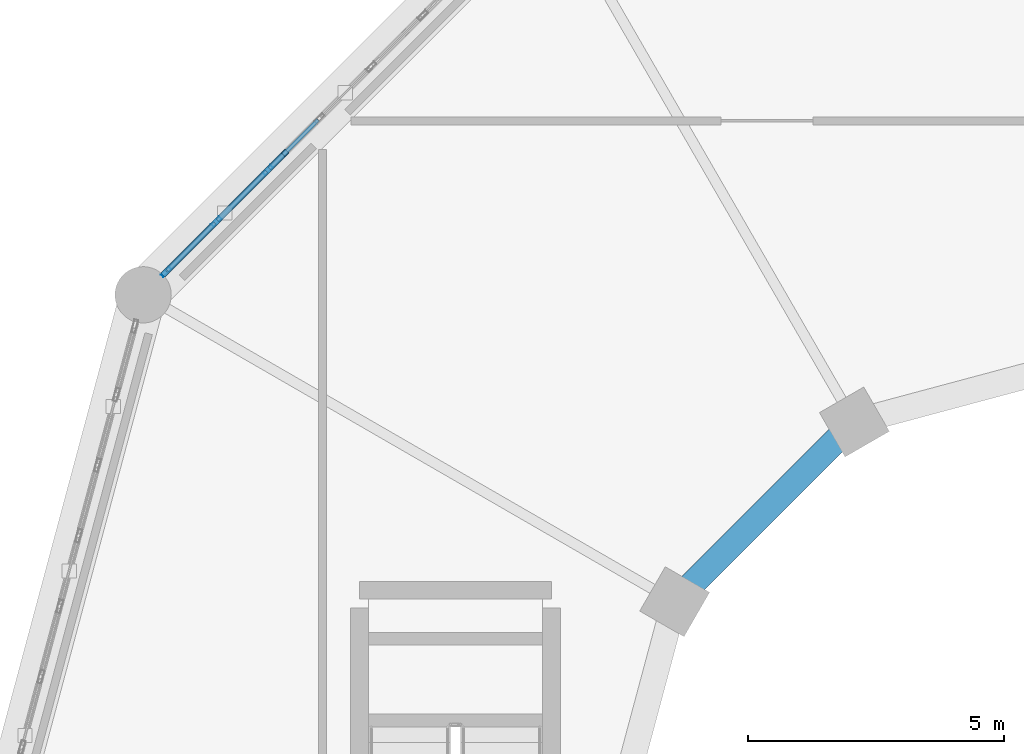
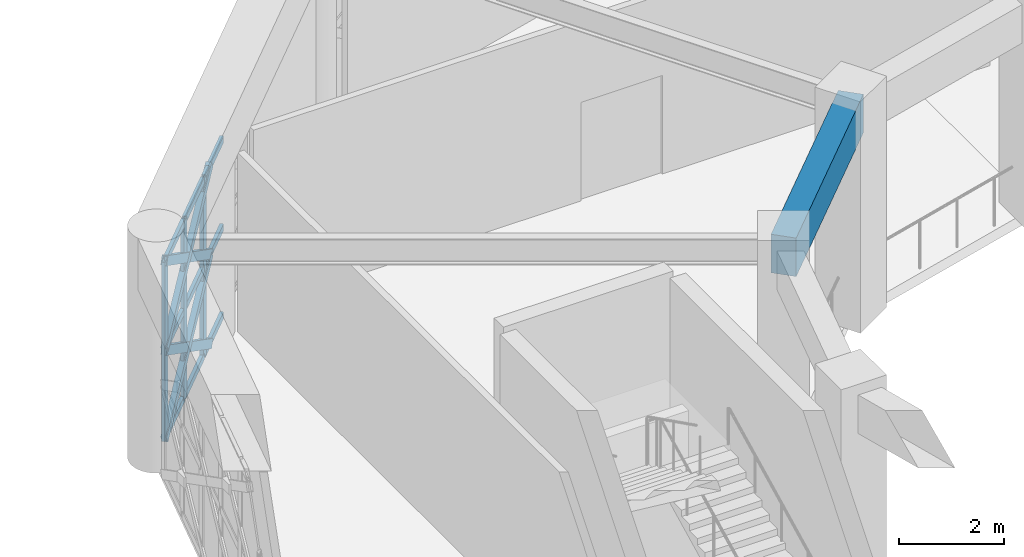
# One storey, part 26 of 72: 18 members, 1 beam, 1 element without a shape of its own.
"""IFC4 building model written with IfcOpenShell, lengths in metres."""

import ifcopenshell
import ifcopenshell.guid

model = None  # the IFC model being written
_history = None  # IfcOwnerHistory: only IFC2X3 demands one
_inside = {}  # id of a spatial element -> (the spatial element, [elements in it])
_under = {}  # id of a project, library or spatial element -> (it, [spatial elements below it])
_declared = {}  # id of a project -> (the project, [libraries it declares])
_typed = {}  # id of a type object -> (the type object, [elements of that type])
_made_of = {}  # id of a material, layer set ... -> (it, [elements and type objects made of it])


def new_model(schema):
    """Start an empty IFC model of exactly this schema.

    Asked for "IFC4X3", IfcOpenShell would pick the latest addendum, in which some entities
    have other attributes; the version numbers below select the first issue.
    IFC2X3 requires an IfcOwnerHistory on every rooted entity: one is made here for all.
    """
    global model, _history
    if schema == "IFC4X3":
        model = ifcopenshell.file(schema_version=(4, 3, 0, 0))
    else:
        model = ifcopenshell.file(schema=schema)
    _inside.clear()
    _under.clear()
    _declared.clear()
    _typed.clear()
    _made_of.clear()
    _history = None
    if model.schema == "IFC2X3":
        org = make("IfcOrganization", Name="unknown")
        user = make(
            "IfcPersonAndOrganization",
            ThePerson=make("IfcPerson", FamilyName="unknown"),
            TheOrganization=org,
        )
        app = make(
            "IfcApplication",
            ApplicationDeveloper=org,
            Version="unknown",
            ApplicationFullName="unknown",
            ApplicationIdentifier="unknown",
        )
        _history = make(
            "IfcOwnerHistory",
            OwningUser=user,
            OwningApplication=app,
            ChangeAction="ADDED",
            CreationDate=0,
        )
    return model


def make(cls, **values):
    """One entity of the class cls with the attributes given. An attribute that is None is left unset."""
    return model.create_entity(
        cls, **{name: value for name, value in values.items() if value is not None}
    )


def rooted(cls, **values):
    """An entity with a GlobalId (a new one), such as an element, a storey or a relation."""
    return make(cls, GlobalId=ifcopenshell.guid.new(), OwnerHistory=_history, **values)


def si_unit(unit_type, name, prefix=None):
    """IfcSIUnit, for example si_unit("LENGTHUNIT", "METRE", prefix="MILLI")."""
    return make("IfcSIUnit", UnitType=unit_type, Prefix=prefix, Name=name)


def assignment(units):
    """IfcUnitAssignment: the units of a project."""
    return None if units is None else make("IfcUnitAssignment", Units=units)


def point(xyz):
    """IfcCartesianPoint."""
    return None if xyz is None else make("IfcCartesianPoint", Coordinates=xyz)


def direction(xyz):
    """IfcDirection."""
    return None if xyz is None else make("IfcDirection", DirectionRatios=xyz)


def frame(location, z_axis=None, x_axis=None):
    """IfcAxis2Placement3D, a coordinate frame: its origin and axes. An axis left out is left unset."""
    return make(
        "IfcAxis2Placement3D",
        Location=point(location),
        Axis=direction(z_axis),
        RefDirection=direction(x_axis),
    )


def frame_2d(location, x_axis=None):
    """IfcAxis2Placement2D, a coordinate frame in the plane: its origin and x axis."""
    return make(
        "IfcAxis2Placement2D", Location=point(location), RefDirection=direction(x_axis)
    )


def origin():
    """The frame at (0, 0, 0) with its axes left unset."""
    return frame((0.0, 0.0, 0.0))


def origin_2d():
    """The frame at (0, 0) in the plane with its x axis left unset."""
    return frame_2d((0.0, 0.0))


def place(relative_to, where):
    """IfcLocalPlacement: puts the frame where relative to a parent placement (None: the world)."""
    return make(
        "IfcLocalPlacement", PlacementRelTo=relative_to, RelativePlacement=where
    )


def context(
    kind, dimensions, precision=None, world=None, true_north=None, identifier=None
):
    """IfcGeometricRepresentationContext, for example the 3D "Model" context."""
    return make(
        "IfcGeometricRepresentationContext",
        ContextIdentifier=identifier,
        ContextType=kind,
        CoordinateSpaceDimension=dimensions,
        Precision=precision,
        WorldCoordinateSystem=world,
        TrueNorth=true_north,
    )


def subcontext(parent, identifier, kind, view, scale=None):
    """IfcGeometricRepresentationSubContext, for example "Body" below "Model"."""
    return make(
        "IfcGeometricRepresentationSubContext",
        ContextIdentifier=identifier,
        ContextType=kind,
        ParentContext=parent,
        TargetScale=scale,
        TargetView=view,
    )


def project(units=None, contexts=None):
    """IfcProject with its units and contexts."""
    return rooted(
        "IfcProject",
        Name="project",
        RepresentationContexts=contexts,
        UnitsInContext=assignment(units),
    )


def spatial(cls, under=None, at=None, **own):
    """A site, building, storey or space (cls), placed at a placement, below another one or the project."""
    s = rooted(cls, ObjectPlacement=at, **own)
    if under is not None:
        _under.setdefault(under.id(), (under, []))[1].append(s)
    return s


def profile(cls, at=None, kind="AREA", **sizes):
    """A parametric profile (cls). Its sizes go by their IFC names, for example OverallWidth=200.0."""
    return make(cls, ProfileType=kind, Position=at, **sizes)


def rectangle(**sizes):
    """IfcRectangleProfileDef."""
    return profile("IfcRectangleProfileDef", **sizes)


def hollow_rectangle(**sizes):
    """IfcRectangleHollowProfileDef."""
    return profile("IfcRectangleHollowProfileDef", **sizes)


def extrude(swept, where, along, depth):
    """IfcExtrudedAreaSolid: the profile swept, set in the frame where, extruded along a direction by depth."""
    return make(
        "IfcExtrudedAreaSolid",
        SweptArea=swept,
        Position=where,
        ExtrudedDirection=direction(along),
        Depth=depth,
    )


def shape(context_of_items, identifier, shape_type, items):
    """IfcShapeRepresentation: the items that make up one representation, for example the "Body"."""
    return make(
        "IfcShapeRepresentation",
        ContextOfItems=context_of_items,
        RepresentationIdentifier=identifier,
        RepresentationType=shape_type,
        Items=items,
    )


def material(Name=None, Category=None):
    """IfcMaterial."""
    return make("IfcMaterial", Name=Name, Category=Category)


def material_profile(
    of_material, cross_section, Name=None, Category=None, Priority=None
):
    """IfcMaterialProfile: a cross section and its material."""
    return make(
        "IfcMaterialProfile",
        Name=Name,
        Material=of_material,
        Profile=cross_section,
        Priority=Priority,
        Category=Category,
    )


def profile_set(profiles, Name=None, composite=None):
    """IfcMaterialProfileSet."""
    return make(
        "IfcMaterialProfileSet",
        Name=Name,
        MaterialProfiles=profiles,
        CompositeProfile=composite,
    )


def made_of(thing, what):
    """Note that an element or type object is made of a material, layer set ...; save() writes the relation."""
    if what is not None:
        _made_of.setdefault(what.id(), (what, []))[1].append(thing)
    return thing


def type_object(cls, material=None, **own):
    """A type object (cls), such as IfcWallType, which elements share."""
    return made_of(rooted(cls, **own), material)


def element(
    cls,
    number,
    at=None,
    inside=None,
    cuts=None,
    type_object=None,
    material=None,
    context=None,
    identifier="Body",
    shape_type=None,
    held_by="IfcProductDefinitionShape",
    body=None,
    shapes=None,
    **own,
):
    """One element of the class cls, such as IfcWall. Its Tag is "e" and its number.

    at: its placement. inside: the storey or other place that contains it. cuts: it is an
    opening in that element (IfcRelVoidsElement). A single representation is given by context,
    identifier, shape_type and body (its items); several are given by shapes. held_by: the class
    of the entity that holds the representations. save() writes the other relations.
    """
    e = rooted(cls, Tag="e%d" % number, ObjectPlacement=at, **own)
    if body is not None:
        shapes = [shape(context, identifier, shape_type, body)]
    if shapes is not None:
        e.Representation = make(held_by, Representations=shapes)
    if inside is not None:
        _inside.setdefault(inside.id(), (inside, []))[1].append(e)
    if cuts is not None:
        rooted(
            "IfcRelVoidsElement", RelatingBuildingElement=cuts, RelatedOpeningElement=e
        )
    if type_object is not None:
        _typed.setdefault(type_object.id(), (type_object, []))[1].append(e)
    return made_of(e, material)


def aggregate(whole, parts):
    """IfcRelAggregates: a whole, such as a stair, and the parts it consists of."""
    return rooted("IfcRelAggregates", RelatingObject=whole, RelatedObjects=parts)


def save(model, path):
    """Write the relations noted so far, then the file.

    IfcRelAggregates (storeys below a building ...), IfcRelContainedInSpatialStructure (elements
    in a storey), IfcRelDefinesByType, IfcRelAssociatesMaterial and IfcRelDeclares: one each for
    every whole, place, type object, material and project.
    """
    for whole, parts in _under.values():
        aggregate(whole, parts)
    for where, things in _inside.values():
        rooted(
            "IfcRelContainedInSpatialStructure",
            RelatedElements=things,
            RelatingStructure=where,
        )
    for kind, things in _typed.values():
        rooted("IfcRelDefinesByType", RelatedObjects=things, RelatingType=kind)
    for what, things in _made_of.values():
        rooted("IfcRelAssociatesMaterial", RelatedObjects=things, RelatingMaterial=what)
    for by, libraries in _declared.values():
        rooted("IfcRelDeclares", RelatingContext=by, RelatedDefinitions=libraries)
    model.write(path)


model = new_model("IFC4")

# Units and contexts
model_context = context("Model", 3, precision=1e-05, world=origin(), true_north=direction((0.0, 1.0)))
body_context = subcontext(model_context, "Body", "Model", "MODEL_VIEW")
ifc_project = project(units=[si_unit("LENGTHUNIT", "METRE"), si_unit("AREAUNIT", "SQUARE_METRE"), si_unit("VOLUMEUNIT", "CUBIC_METRE"), si_unit("PLANEANGLEUNIT", "RADIAN"), si_unit("MASSUNIT", "GRAM", prefix="KILO")], contexts=[model_context])

# Site, building, storey
site_placement = place(None, origin())
site = spatial("IfcSite", under=ifc_project, at=site_placement, CompositionType="ELEMENT")
building_placement = place(site_placement, origin())
building = spatial("IfcBuilding", under=site, at=building_placement, Name="Haizhuo Lancet Aquarium", CompositionType="ELEMENT")
storey_placement = place(building_placement, frame((0.0, 0.0, 21.60009765625)))
storey = spatial("IfcBuildingStorey", under=building, at=storey_placement, Name="L04", CompositionType="ELEMENT", Elevation=21.60009765625)

# Beam
ifc_material_1 = material(Name="Concrete C40/50", Category="concrete")
ifc_material_profile_1 = material_profile(ifc_material_1, rectangle(XDim=0.5, YDim=0.89990234375, at=origin_2d()), Name="RC-BM 500x900")
ifc_profile_set_1 = profile_set([ifc_material_profile_1], Name="Concrete C40/50")
beam_type = type_object("IfcBeamType", Name="BM-RC-500x900", PredefinedType="BEAM", material=ifc_profile_set_1)
beam_placement = place(storey_placement, frame((-4.800048828125, 8.31396484375, 4.699951171875), z_axis=(-0.707106781187, -0.707106781187, 0.0), x_axis=(0.707106781187, -0.707106781187, 0.0)))
element("IfcBeam", 1, at=beam_placement, inside=storey, type_object=beam_type, Name="L04 tank ring beam 5", PredefinedType="BEAM", context=body_context, shape_type="SweptSolid", body=[
    extrude(rectangle(XDim=0.5, YDim=0.89990234375, at=origin_2d()), origin(), (0.0, 0.0, 1.0), 4.969482421875),
])

# Curtain wall, members
ifc_material_2 = material(Name="Aluminium 6063-T6", Category="aluminium")
curtain_wall_type = type_object("IfcCurtainWallType", Name="CWO-9990x4180", PredefinedType="NOTDEFINED", material=ifc_material_2)
curtain_wall_placement = place(storey_placement, origin())
curtain_wall = element("IfcCurtainWall", 2, at=curtain_wall_placement, inside=storey, type_object=curtain_wall_type, Name="L04 curtain wall CW-V1-L04-05", PredefinedType="NOTDEFINED")
ifc_material_profile_2 = material_profile(ifc_material_2, hollow_rectangle(XDim=0.074951171875, YDim=0.219970703125, WallThickness=0.0048828125, at=origin_2d()), Name="ALU-M 75x220x5")
ifc_profile_set_2 = profile_set([ifc_material_profile_2], Name="Aluminium 6063-T6")
member_type_1 = type_object("IfcMemberType", Name="CW-MUL-2", PredefinedType="MULLION", material=ifc_profile_set_2)
member_1_placement = place(storey_placement, frame((-18.258056640625, 11.248046875, 0.0), z_axis=(0.0, 0.0, 1.0), x_axis=(-0.707106781187, 0.707106781187, 0.0)))
member_1 = element("IfcMember", 3, at=member_1_placement, type_object=member_type_1, Name="CWO-99x41 mullion 1", PredefinedType="MULLION", context=body_context, shape_type="SweptSolid", body=[
    extrude(hollow_rectangle(XDim=0.074951171875, YDim=0.219970703125, WallThickness=0.0048828125, at=origin_2d()), origin(), (0.0, 0.0, 1.0), 4.184814453125),
])
member_2_placement = place(storey_placement, frame((-17.27587890625, 12.22998046875, 0.0), z_axis=(0.0, 0.0, 1.0), x_axis=(-0.707106781187, 0.707106781187, 0.0)))
member_2 = element("IfcMember", 4, at=member_2_placement, type_object=member_type_1, Name="CWO-99x41 mullion 2", PredefinedType="MULLION", context=body_context, shape_type="SweptSolid", body=[
    extrude(hollow_rectangle(XDim=0.074951171875, YDim=0.219970703125, WallThickness=0.0048828125, at=origin_2d()), origin(), (0.0, 0.0, 1.0), 4.184814453125),
])
member_3_placement = place(storey_placement, frame((-16.26708984375, 13.239013671875, 0.0), z_axis=(0.0, 0.0, 1.0), x_axis=(-0.707106781187, 0.707106781187, 0.0)))
member_3 = element("IfcMember", 5, at=member_3_placement, type_object=member_type_1, Name="CWO-99x41 mullion 3", PredefinedType="MULLION", context=body_context, shape_type="SweptSolid", body=[
    extrude(hollow_rectangle(XDim=0.074951171875, YDim=0.219970703125, WallThickness=0.0048828125, at=origin_2d()), origin(), (0.0, 0.0, 1.0), 4.184814453125),
])
ifc_material_profile_3 = material_profile(ifc_material_2, hollow_rectangle(XDim=0.074951171875, YDim=0.159912109375, WallThickness=0.00390625, at=origin_2d()), Name="ALU-T 75x160x4")
ifc_profile_set_3 = profile_set([ifc_material_profile_3], Name="Aluminium 6063-T6")
member_type_2 = type_object("IfcMemberType", Name="CW-TRN-2", PredefinedType="NOTDEFINED", material=ifc_profile_set_3)
member_4_placement = place(storey_placement, frame((-18.23193359375, 11.27392578125, 0.037841796875), z_axis=(0.707013966752, 0.70719958344, 0.0), x_axis=(-0.70719958344, 0.707013966752, 0.0)))
member_4 = element("IfcMember", 6, at=member_4_placement, type_object=member_type_2, Name="CWO-99x41 transom 1.1", ObjectType="TRANSOM", PredefinedType="USERDEFINED", context=body_context, shape_type="SweptSolid", body=[
    extrude(hollow_rectangle(XDim=0.074951171875, YDim=0.159912109375, WallThickness=0.00390625, at=origin_2d()), origin(), (0.0, 0.0, 1.0), 1.315185546875),
])
member_5_placement = place(storey_placement, frame((-18.23193359375, 11.27392578125, 2.093017578125), z_axis=(0.707013966752, 0.70719958344, 0.0), x_axis=(-0.70719958344, 0.707013966752, 0.0)))
member_5 = element("IfcMember", 7, at=member_5_placement, type_object=member_type_2, Name="CWO-99x41 transom 1.2", ObjectType="TRANSOM", PredefinedType="USERDEFINED", context=body_context, shape_type="SweptSolid", body=[
    extrude(hollow_rectangle(XDim=0.074951171875, YDim=0.159912109375, WallThickness=0.00390625, at=origin_2d()), origin(), (0.0, 0.0, 1.0), 1.315185546875),
])
member_6_placement = place(storey_placement, frame((-18.23193359375, 11.27392578125, 4.14697265625), z_axis=(0.707013966752, 0.70719958344, 0.0), x_axis=(-0.70719958344, 0.707013966752, 0.0)))
member_6 = element("IfcMember", 8, at=member_6_placement, type_object=member_type_2, Name="CWO-99x41 transom 1.3", ObjectType="TRANSOM", PredefinedType="USERDEFINED", context=body_context, shape_type="SweptSolid", body=[
    extrude(hollow_rectangle(XDim=0.074951171875, YDim=0.159912109375, WallThickness=0.00390625, at=origin_2d()), origin(), (0.0, 0.0, 1.0), 1.315185546875),
])
member_7_placement = place(storey_placement, frame((-17.2490234375, 12.257080078125, 0.037841796875), z_axis=(0.707197071268, 0.707016479575, 0.0), x_axis=(-0.707016479575, 0.707197071268, 0.0)))
member_7 = element("IfcMember", 9, at=member_7_placement, type_object=member_type_2, Name="CWO-99x41 transom 2.1", ObjectType="TRANSOM", PredefinedType="USERDEFINED", context=body_context, shape_type="SweptSolid", body=[
    extrude(hollow_rectangle(XDim=0.074951171875, YDim=0.159912109375, WallThickness=0.00390625, at=origin_2d()), origin(), (0.0, 0.0, 1.0), 1.351806640625),
])
member_8_placement = place(storey_placement, frame((-17.2490234375, 12.257080078125, 2.093017578125), z_axis=(0.707197071268, 0.707016479575, 0.0), x_axis=(-0.707016479575, 0.707197071268, 0.0)))
member_8 = element("IfcMember", 10, at=member_8_placement, type_object=member_type_2, Name="CWO-99x41 transom 2.2", ObjectType="TRANSOM", PredefinedType="USERDEFINED", context=body_context, shape_type="SweptSolid", body=[
    extrude(hollow_rectangle(XDim=0.074951171875, YDim=0.159912109375, WallThickness=0.00390625, at=origin_2d()), origin(), (0.0, 0.0, 1.0), 1.351806640625),
])
member_9_placement = place(storey_placement, frame((-17.2490234375, 12.257080078125, 4.14697265625), z_axis=(0.707197071268, 0.707016479575, 0.0), x_axis=(-0.707016479575, 0.707197071268, 0.0)))
member_9 = element("IfcMember", 11, at=member_9_placement, type_object=member_type_2, Name="CWO-99x41 transom 2.3", ObjectType="TRANSOM", PredefinedType="USERDEFINED", context=body_context, shape_type="SweptSolid", body=[
    extrude(hollow_rectangle(XDim=0.074951171875, YDim=0.159912109375, WallThickness=0.00390625, at=origin_2d()), origin(), (0.0, 0.0, 1.0), 1.351806640625),
])
member_10_placement = place(storey_placement, frame((-16.239990234375, 13.26611328125, 0.037841796875), z_axis=(0.707197071268, 0.707016479575, 0.0), x_axis=(-0.707016479575, 0.707197071268, 0.0)))
member_10 = element("IfcMember", 12, at=member_10_placement, type_object=member_type_2, Name="CWO-99x41 transom 3.1", ObjectType="TRANSOM", PredefinedType="USERDEFINED", context=body_context, shape_type="SweptSolid", body=[
    extrude(hollow_rectangle(XDim=0.074951171875, YDim=0.159912109375, WallThickness=0.00390625, at=origin_2d()), origin(), (0.0, 0.0, 1.0), 1.351806640625),
])
member_11_placement = place(storey_placement, frame((-16.239990234375, 13.26611328125, 2.093017578125), z_axis=(0.707197071268, 0.707016479575, 0.0), x_axis=(-0.707016479575, 0.707197071268, 0.0)))
member_11 = element("IfcMember", 13, at=member_11_placement, type_object=member_type_2, Name="CWO-99x41 transom 3.2", ObjectType="TRANSOM", PredefinedType="USERDEFINED", context=body_context, shape_type="SweptSolid", body=[
    extrude(hollow_rectangle(XDim=0.074951171875, YDim=0.159912109375, WallThickness=0.00390625, at=origin_2d()), origin(), (0.0, 0.0, 1.0), 1.351806640625),
])
member_12_placement = place(storey_placement, frame((-16.239990234375, 13.26611328125, 4.14697265625), z_axis=(0.707197071268, 0.707016479575, 0.0), x_axis=(-0.707016479575, 0.707197071268, 0.0)))
member_12 = element("IfcMember", 14, at=member_12_placement, type_object=member_type_2, Name="CWO-99x41 transom 3.3", ObjectType="TRANSOM", PredefinedType="USERDEFINED", context=body_context, shape_type="SweptSolid", body=[
    extrude(hollow_rectangle(XDim=0.074951171875, YDim=0.159912109375, WallThickness=0.00390625, at=origin_2d()), origin(), (0.0, 0.0, 1.0), 1.351806640625),
])
aggregate(curtain_wall, [member_1, member_2, member_3, member_4, member_5, member_6, member_7, member_8, member_9, member_10, member_11, member_12])

# Members
ifc_material_3 = material(Name="Steel S355", Category="steel")
ifc_material_profile_4 = material_profile(ifc_material_3, hollow_rectangle(XDim=0.1201171875, YDim=0.199951171875, WallThickness=0.008056640625, at=origin_2d()), Name="RHS 120x200x8")
ifc_profile_set_4 = profile_set([ifc_material_profile_4], Name="Steel S355")
member_type_3 = type_object("IfcMemberType", Name="MEM-LB-RHS120x200", PredefinedType="BRACE", material=ifc_profile_set_4)
member_13_placement = place(storey_placement, frame((-18.284912109375, 11.220947265625, 0.0), z_axis=(0.598695261039, 0.598695261039, 0.532097706084), x_axis=(-0.707106781187, 0.707106781187, 0.0)))
element("IfcMember", 15, at=member_13_placement, inside=storey, type_object=member_type_3, Name="Gothic lancet continuous diagonal brace CW-V1-L04-05 1A", PredefinedType="BRACE", context=body_context, shape_type="SweptSolid", body=[
    extrude(hollow_rectangle(XDim=0.1201171875, YDim=0.199951171875, WallThickness=0.008056640625, at=origin_2d()), origin(), (0.0, 0.0, 1.0), 3.93359375),
])
member_14_placement = place(storey_placement, frame((-15.929931640625, 13.575927734375, 0.0), z_axis=(-0.598884148015, -0.598387663747, 0.532231135065), x_axis=(0.706813497615, -0.707399943164, 0.0)))
element("IfcMember", 16, at=member_14_placement, inside=storey, type_object=member_type_3, Name="Gothic lancet split diagonal brace CW-V1-L04-05 1B1", PredefinedType="BRACE", context=body_context, shape_type="SweptSolid", body=[
    extrude(hollow_rectangle(XDim=0.1201171875, YDim=0.199951171875, WallThickness=0.008056640625, at=origin_2d()), origin(), (0.0, 0.0, 1.0), 1.967041015625),
])
member_15_placement = place(storey_placement, frame((-17.10791015625, 12.39892578125, 1.046875), z_axis=(-0.598506247939, -0.599002830596, 0.531964171835), x_axis=(0.707399943164, -0.706813497615, 0.0)))
element("IfcMember", 17, at=member_15_placement, inside=storey, type_object=member_type_3, Name="Gothic lancet split diagonal brace CW-V1-L04-05 1B2", PredefinedType="BRACE", context=body_context, shape_type="SweptSolid", body=[
    extrude(hollow_rectangle(XDim=0.1201171875, YDim=0.199951171875, WallThickness=0.008056640625, at=origin_2d()), origin(), (0.0, 0.0, 1.0), 1.966552734375),
])
member_16_placement = place(storey_placement, frame((-18.284912109375, 11.220947265625, 2.093017578125), z_axis=(0.598794117865, 0.598794117865, 0.531875181616), x_axis=(-0.707106781187, 0.707106781187, 0.0)))
element("IfcMember", 18, at=member_16_placement, inside=storey, type_object=member_type_3, Name="Gothic lancet continuous diagonal brace CW-V1-L04-05 2A", PredefinedType="BRACE", context=body_context, shape_type="SweptSolid", body=[
    extrude(hollow_rectangle(XDim=0.1201171875, YDim=0.199951171875, WallThickness=0.008056640625, at=origin_2d()), origin(), (0.0, 0.0, 1.0), 3.932861328125),
])
for number, where, z_axis, x_axis, name in (
    (19, (-15.929931640625, 13.575927734375, 2.093017578125), (-0.599042388672, -0.59854577322, 0.531875148823), (0.706813497615, -0.707399943164, 0.0), "Gothic lancet split diagonal brace CW-V1-L04-05 2B1"),
    (20, (-17.10791015625, 12.39892578125, 3.138916015625), (-0.59854577322, -0.599042388672, 0.531875148823), (0.707399943164, -0.706813497615, 0.0), "Gothic lancet split diagonal brace CW-V1-L04-05 2B2"),
):
    element("IfcMember", number, at=place(storey_placement, frame(where, z_axis=z_axis, x_axis=x_axis)), inside=storey, type_object=member_type_3, Name=name, PredefinedType="BRACE", context=body_context, shape_type="SweptSolid", body=[
        extrude(hollow_rectangle(XDim=0.1201171875, YDim=0.199951171875, WallThickness=0.008056640625, at=origin_2d()), origin(), (0.0, 0.0, 1.0), 1.966552734375),
    ])

save(model, "model.ifc")
